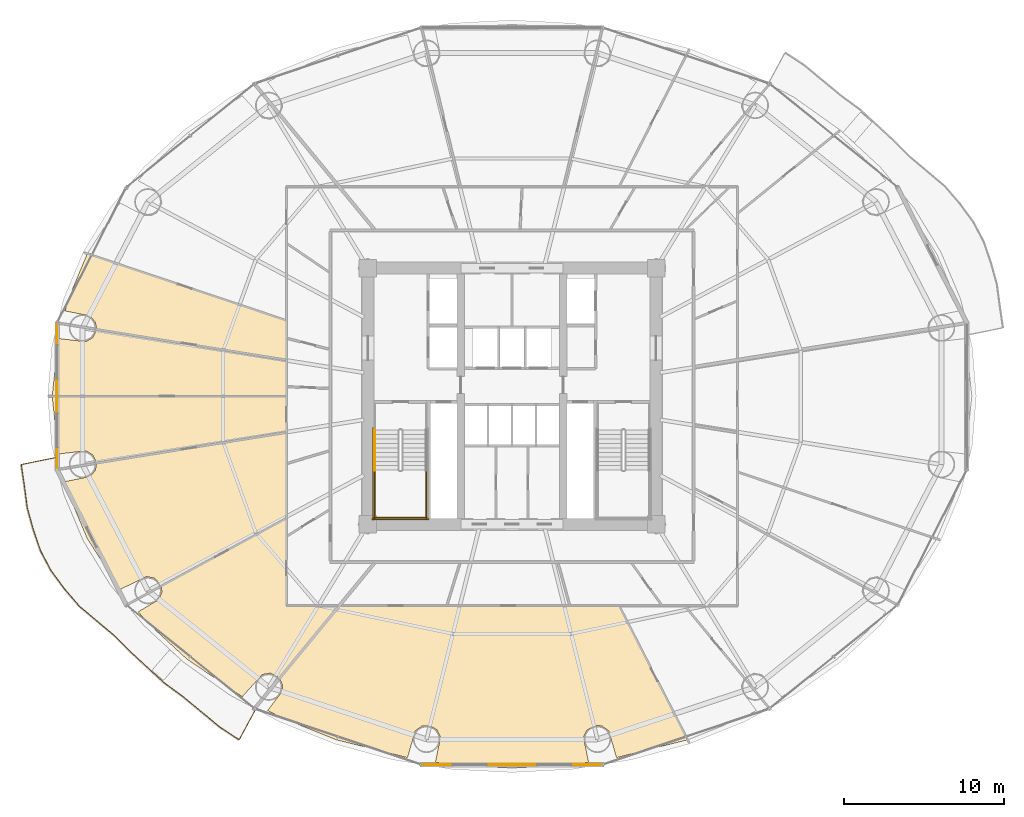
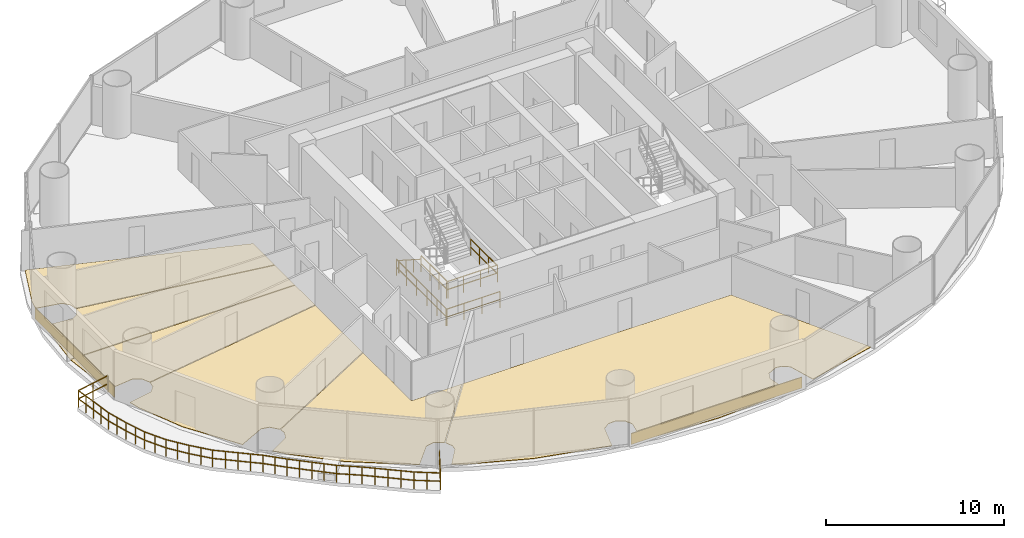
# One storey, part 25 of 28: 8 coverings, 7 railings.
"""IFC4 building model written with IfcOpenShell, lengths in metres."""

from ifc_helpers import new_model, si_unit, direction, frame, origin, origin_2d, place, context, subcontext, project, spatial, polyline, rectangle, outline, extrude, source, transform, mapped, material, layer, layer_set, type_object, element, save


model = new_model("IFC4")

# Units and contexts
model_context = context("Model", 3, precision=1e-05, world=origin(), true_north=direction((-0.2419218956, 0.970295726276)))
body_context = subcontext(model_context, "Body", "Model", "MODEL_VIEW")
ifc_project = project(units=[si_unit("LENGTHUNIT", "METRE"), si_unit("AREAUNIT", "SQUARE_METRE"), si_unit("VOLUMEUNIT", "CUBIC_METRE"), si_unit("PLANEANGLEUNIT", "RADIAN"), si_unit("MASSUNIT", "GRAM", prefix="KILO")], contexts=[model_context])

# Site, building, storey
site_placement = place(None, origin())
site = spatial("IfcSite", under=ifc_project, at=site_placement, CompositionType="ELEMENT")
building_placement = place(site_placement, origin())
building = spatial("IfcBuilding", under=site, at=building_placement, Name="Cobrevalo Terracotta Tower", CompositionType="ELEMENT")
storey_placement = place(building_placement, frame((0.0, 0.0, 42.0)))
storey = spatial("IfcBuildingStorey", under=building, at=storey_placement, Name="L10", CompositionType="ELEMENT", Elevation=42.0)

# Railing
ifc_material_1 = material(Name="Laminated structural glass and stainless steel", Category="steel")
railing_type_1 = type_object("IfcRailingType", Name="Balcony lobe structural glass & terracotta-cap balustrade 1180 mm", PredefinedType="BALUSTRADE", material=ifc_material_1)
railing_1_placement = place(storey_placement, frame((9.524658203125, 22.9814453125, 0.0)))
element("IfcRailing", 1, at=railing_1_placement, inside=storey, type_object=railing_type_1, Name="L10 spiralling balcony lobe balustrade 2", PredefinedType="BALUSTRADE", context=body_context, shape_type="SweptSolid", body=[
    extrude(rectangle(XDim=0.048095703125, YDim=0.048095703125, at=origin_2d()), frame((0.0, 0.0, 1.15576171875), z_axis=(-0.979807576566, -0.199942774071, 0.0), x_axis=(0.199942774071, -0.979807576566, 0.0)), (0.0, 0.0, 1.0), 2.219970703125),
    extrude(rectangle(XDim=0.048095703125, YDim=0.048095703125, at=origin_2d()), frame((0.0, 0.0, 0.58984375), z_axis=(-0.979807576566, -0.199942774071, 0.0), x_axis=(0.199942774071, -0.979807576566, 0.0)), (0.0, 0.0, 1.0), 2.219970703125),
    extrude(rectangle(XDim=0.048095703125, YDim=0.048095703125, at=origin_2d()), frame((-2.175048828125, -0.44384765625, 1.15576171875), z_axis=(0.144640429944, -0.989484282859, 0.0), x_axis=(0.989484282859, 0.144640429944, 0.0)), (0.0, 0.0, 1.0), 1.35888671875),
    extrude(rectangle(XDim=0.048095703125, YDim=0.048095703125, at=origin_2d()), frame((-2.175048828125, -0.44384765625, 0.58984375), z_axis=(0.144640429944, -0.989484282859, 0.0), x_axis=(0.989484282859, 0.144640429944, 0.0)), (0.0, 0.0, 1.0), 1.35888671875),
    extrude(rectangle(XDim=0.048095703125, YDim=0.048095703125, at=origin_2d()), frame((-1.978515625, -1.788330078125, 1.15576171875), z_axis=(0.131502879997, -0.991315788512, 0.0), x_axis=(0.991315788512, 0.131502879997, 0.0)), (0.0, 0.0, 1.0), 1.37939453125),
    extrude(rectangle(XDim=0.048095703125, YDim=0.048095703125, at=origin_2d()), frame((-1.978515625, -1.788330078125, 0.58984375), z_axis=(0.131502879997, -0.991315788512, 0.0), x_axis=(0.991315788512, 0.131502879997, 0.0)), (0.0, 0.0, 1.0), 1.37939453125),
    extrude(rectangle(XDim=0.048095703125, YDim=0.048095703125, at=origin_2d()), frame((-1.797119140625, -3.15576171875, 1.15576171875), z_axis=(0.265827989809, -0.964020476875, 0.0), x_axis=(0.964020476875, 0.265827989809, 0.0)), (0.0, 0.0, 1.0), 1.39404296875),
    extrude(rectangle(XDim=0.048095703125, YDim=0.048095703125, at=origin_2d()), frame((-1.797119140625, -3.15576171875, 0.58984375), z_axis=(0.265827989809, -0.964020476875, 0.0), x_axis=(0.964020476875, 0.265827989809, 0.0)), (0.0, 0.0, 1.0), 1.39404296875),
    extrude(rectangle(XDim=0.048095703125, YDim=0.048095703125, at=origin_2d()), frame((-1.426513671875, -4.499755859375, 1.15576171875), z_axis=(0.323277085184, -0.946304351779, 0.0), x_axis=(0.946304351779, 0.323277085184, 0.0)), (0.0, 0.0, 1.0), 1.40087890625),
    extrude(rectangle(XDim=0.048095703125, YDim=0.048095703125, at=origin_2d()), frame((-1.426513671875, -4.499755859375, 0.58984375), z_axis=(0.323277085184, -0.946304351779, 0.0), x_axis=(0.946304351779, 0.323277085184, 0.0)), (0.0, 0.0, 1.0), 1.40087890625),
    extrude(rectangle(XDim=0.048095703125, YDim=0.048095703125, at=origin_2d()), frame((-0.9736328125, -5.825439453125, 1.15576171875), z_axis=(0.467497136589, -0.88399458555, 0.0), x_axis=(0.88399458555, 0.467497136589, 0.0)), (0.0, 0.0, 1.0), 1.407470703125),
    extrude(rectangle(XDim=0.048095703125, YDim=0.048095703125, at=origin_2d()), frame((-0.9736328125, -5.825439453125, 0.58984375), z_axis=(0.467497136589, -0.88399458555, 0.0), x_axis=(0.88399458555, 0.467497136589, 0.0)), (0.0, 0.0, 1.0), 1.407470703125),
    extrude(rectangle(XDim=0.048095703125, YDim=0.048095703125, at=origin_2d()), frame((-0.315673828125, -7.069580078125, 1.15576171875), z_axis=(0.593257524322, -0.805012738928, 0.0), x_axis=(0.805012738928, 0.593257524322, 0.0)), (0.0, 0.0, 1.0), 1.423828125),
    extrude(rectangle(XDim=0.048095703125, YDim=0.048095703125, at=origin_2d()), frame((-0.315673828125, -7.069580078125, 0.58984375), z_axis=(0.593257524322, -0.805012738928, 0.0), x_axis=(0.805012738928, 0.593257524322, 0.0)), (0.0, 0.0, 1.0), 1.423828125),
    extrude(rectangle(XDim=0.048095703125, YDim=0.048095703125, at=origin_2d()), frame((0.529052734375, -8.2158203125, 1.15576171875), z_axis=(0.65066327487, -0.759366382411, 0.0), x_axis=(0.759366382411, 0.65066327487, 0.0)), (0.0, 0.0, 1.0), 1.41259765625),
    extrude(rectangle(XDim=0.048095703125, YDim=0.048095703125, at=origin_2d()), frame((0.529052734375, -8.2158203125, 0.58984375), z_axis=(0.65066327487, -0.759366382411, 0.0), x_axis=(0.759366382411, 0.65066327487, 0.0)), (0.0, 0.0, 1.0), 1.41259765625),
    extrude(rectangle(XDim=0.048095703125, YDim=0.048095703125, at=origin_2d()), frame((1.4482421875, -9.28857421875, 1.15576171875), z_axis=(0.764758926566, -0.644316524883, 0.0), x_axis=(0.644316524883, 0.764758926566, 0.0)), (0.0, 0.0, 1.0), 1.455322265625),
    extrude(rectangle(XDim=0.048095703125, YDim=0.048095703125, at=origin_2d()), frame((1.4482421875, -9.28857421875, 0.58984375), z_axis=(0.764758926566, -0.644316524883, 0.0), x_axis=(0.644316524883, 0.764758926566, 0.0)), (0.0, 0.0, 1.0), 1.455322265625),
    extrude(rectangle(XDim=0.048095703125, YDim=0.048095703125, at=origin_2d()), frame((2.561279296875, -10.226318359375, 1.15576171875), z_axis=(0.766941966753, -0.641716463582, 0.0), x_axis=(0.641716463582, 0.766941966753, 0.0)), (0.0, 0.0, 1.0), 1.425048828125),
    extrude(rectangle(XDim=0.048095703125, YDim=0.048095703125, at=origin_2d()), frame((2.561279296875, -10.226318359375, 0.58984375), z_axis=(0.766941966753, -0.641716463582, 0.0), x_axis=(0.641716463582, 0.766941966753, 0.0)), (0.0, 0.0, 1.0), 1.425048828125),
    extrude(rectangle(XDim=0.048095703125, YDim=0.048095703125, at=origin_2d()), frame((3.654296875, -11.140869140625, 1.15576171875), z_axis=(0.70510772044, -0.709100206301, 0.0), x_axis=(0.709100206301, 0.70510772044, 0.0)), (0.0, 0.0, 1.0), 1.406494140625),
    extrude(rectangle(XDim=0.048095703125, YDim=0.048095703125, at=origin_2d()), frame((3.654296875, -11.140869140625, 0.58984375), z_axis=(0.70510772044, -0.709100206301, 0.0), x_axis=(0.709100206301, 0.70510772044, 0.0)), (0.0, 0.0, 1.0), 1.406494140625),
    extrude(rectangle(XDim=0.048095703125, YDim=0.048095703125, at=origin_2d()), frame((4.64599609375, -12.13818359375, 1.15576171875), z_axis=(0.733969275627, -0.679182672361, 0.0), x_axis=(0.679182672361, 0.733969275627, 0.0)), (0.0, 0.0, 1.0), 1.426025390625),
    extrude(rectangle(XDim=0.048095703125, YDim=0.048095703125, at=origin_2d()), frame((4.64599609375, -12.13818359375, 0.58984375), z_axis=(0.733969275627, -0.679182672361, 0.0), x_axis=(0.679182672361, 0.733969275627, 0.0)), (0.0, 0.0, 1.0), 1.426025390625),
    extrude(rectangle(XDim=0.048095703125, YDim=0.048095703125, at=origin_2d()), frame((5.692626953125, -13.106689453125, 1.15576171875), z_axis=(0.736313666779, -0.676640365419, 0.0), x_axis=(0.676640365419, 0.736313666779, 0.0)), (0.0, 0.0, 1.0), 1.423828125),
    extrude(rectangle(XDim=0.048095703125, YDim=0.048095703125, at=origin_2d()), frame((5.692626953125, -13.106689453125, 0.58984375), z_axis=(0.736313666779, -0.676640365419, 0.0), x_axis=(0.676640365419, 0.736313666779, 0.0)), (0.0, 0.0, 1.0), 1.423828125),
    extrude(rectangle(XDim=0.048095703125, YDim=0.048095703125, at=origin_2d()), frame((6.740966796875, -14.070068359375, 1.15576171875), z_axis=(0.805709975277, -0.592310252941, 0.0), x_axis=(0.592310252941, 0.805709975277, 0.0)), (0.0, 0.0, 1.0), 1.452880859375),
    extrude(rectangle(XDim=0.048095703125, YDim=0.048095703125, at=origin_2d()), frame((6.740966796875, -14.070068359375, 0.58984375), z_axis=(0.805709975277, -0.592310252941, 0.0), x_axis=(0.592310252941, 0.805709975277, 0.0)), (0.0, 0.0, 1.0), 1.452880859375),
    extrude(rectangle(XDim=0.048095703125, YDim=0.048095703125, at=origin_2d()), frame((7.91162109375, -14.9306640625, 1.15576171875), z_axis=(0.77181945337, -0.63584175028, 0.0), x_axis=(0.63584175028, 0.77181945337, 0.0)), (0.0, 0.0, 1.0), 1.46337890625),
    extrude(rectangle(XDim=0.048095703125, YDim=0.048095703125, at=origin_2d()), frame((7.91162109375, -14.9306640625, 0.58984375), z_axis=(0.77181945337, -0.63584175028, 0.0), x_axis=(0.63584175028, 0.77181945337, 0.0)), (0.0, 0.0, 1.0), 1.46337890625),
    extrude(rectangle(XDim=0.048095703125, YDim=0.048095703125, at=origin_2d()), frame((9.041015625, -15.861083984375, 1.15576171875), z_axis=(0.768382955244, -0.63999033906, 0.0), x_axis=(0.63999033906, 0.768382955244, 0.0)), (0.0, 0.0, 1.0), 1.485107421875),
    extrude(rectangle(XDim=0.048095703125, YDim=0.048095703125, at=origin_2d()), frame((9.041015625, -15.861083984375, 0.58984375), z_axis=(0.768382955244, -0.63999033906, 0.0), x_axis=(0.63999033906, 0.768382955244, 0.0)), (0.0, 0.0, 1.0), 1.485107421875),
    extrude(rectangle(XDim=0.048095703125, YDim=0.048095703125, at=origin_2d()), frame((10.18212890625, -16.8115234375, 1.15576171875), z_axis=(0.834163570936, -0.551517122964, 0.0), x_axis=(0.551517122964, 0.834163570936, 0.0)), (0.0, 0.0, 1.0), 1.50634765625),
    extrude(rectangle(XDim=0.048095703125, YDim=0.048095703125, at=origin_2d()), frame((10.18212890625, -16.8115234375, 0.58984375), z_axis=(0.834163570936, -0.551517122964, 0.0), x_axis=(0.551517122964, 0.834163570936, 0.0)), (0.0, 0.0, 1.0), 1.50634765625),
    extrude(rectangle(XDim=0.048095703125, YDim=0.048095703125, at=origin_2d()), frame((11.438720703125, -17.642333984375, 1.15576171875), z_axis=(0.474554750379, 0.880225987399, 0.0), x_axis=(-0.880225987399, 0.474554750379, 0.0)), (0.0, 0.0, 1.0), 2.27197265625),
    extrude(rectangle(XDim=0.048095703125, YDim=0.048095703125, at=origin_2d()), frame((11.438720703125, -17.642333984375, 0.58984375), z_axis=(0.474554750379, 0.880225987399, 0.0), x_axis=(-0.880225987399, 0.474554750379, 0.0)), (0.0, 0.0, 1.0), 2.27197265625),
    extrude(rectangle(XDim=0.0419921875, YDim=0.0419921875, at=origin_2d()), origin(), (0.0, 0.0, 1.0), 1.1318359375),
    extrude(rectangle(XDim=0.0419921875, YDim=0.0419921875, at=origin_2d()), frame((-1.08740234375, -0.221923828125, 0.0)), (0.0, 0.0, 1.0), 1.1318359375),
    extrude(rectangle(XDim=0.0419921875, YDim=0.0419921875, at=origin_2d()), frame((-2.175048828125, -0.44384765625, 0.0)), (0.0, 0.0, 1.0), 1.1318359375),
    extrude(rectangle(XDim=0.0419921875, YDim=0.0419921875, at=origin_2d()), frame((-2.07666015625, -1.1162109375, 0.0)), (0.0, 0.0, 1.0), 1.1318359375),
    extrude(rectangle(XDim=0.0419921875, YDim=0.0419921875, at=origin_2d()), frame((-1.978515625, -1.788330078125, 0.0)), (0.0, 0.0, 1.0), 1.1318359375),
    extrude(rectangle(XDim=0.0419921875, YDim=0.0419921875, at=origin_2d()), frame((-1.8876953125, -2.47216796875, 0.0)), (0.0, 0.0, 1.0), 1.1318359375),
    extrude(rectangle(XDim=0.0419921875, YDim=0.0419921875, at=origin_2d()), frame((-1.797119140625, -3.15576171875, 0.0)), (0.0, 0.0, 1.0), 1.1318359375),
    extrude(rectangle(XDim=0.0419921875, YDim=0.0419921875, at=origin_2d()), frame((-1.61181640625, -3.82763671875, 0.0)), (0.0, 0.0, 1.0), 1.1318359375),
    extrude(rectangle(XDim=0.0419921875, YDim=0.0419921875, at=origin_2d()), frame((-1.426513671875, -4.499755859375, 0.0)), (0.0, 0.0, 1.0), 1.1318359375),
    extrude(rectangle(XDim=0.0419921875, YDim=0.0419921875, at=origin_2d()), frame((-1.2001953125, -5.16259765625, 0.0)), (0.0, 0.0, 1.0), 1.1318359375),
    extrude(rectangle(XDim=0.0419921875, YDim=0.0419921875, at=origin_2d()), frame((-0.9736328125, -5.825439453125, 0.0)), (0.0, 0.0, 1.0), 1.1318359375),
    extrude(rectangle(XDim=0.0419921875, YDim=0.0419921875, at=origin_2d()), frame((-0.64453125, -6.447509765625, 0.0)), (0.0, 0.0, 1.0), 1.1318359375),
    extrude(rectangle(XDim=0.0419921875, YDim=0.0419921875, at=origin_2d()), frame((-0.315673828125, -7.069580078125, 0.0)), (0.0, 0.0, 1.0), 1.1318359375),
    extrude(rectangle(XDim=0.0419921875, YDim=0.0419921875, at=origin_2d()), frame((0.106689453125, -7.642578125, 0.0)), (0.0, 0.0, 1.0), 1.1318359375),
    extrude(rectangle(XDim=0.0419921875, YDim=0.0419921875, at=origin_2d()), frame((0.529052734375, -8.2158203125, 0.0)), (0.0, 0.0, 1.0), 1.1318359375),
    extrude(rectangle(XDim=0.0419921875, YDim=0.0419921875, at=origin_2d()), frame((0.98876953125, -8.752197265625, 0.0)), (0.0, 0.0, 1.0), 1.1318359375),
    extrude(rectangle(XDim=0.0419921875, YDim=0.0419921875, at=origin_2d()), frame((1.4482421875, -9.28857421875, 0.0)), (0.0, 0.0, 1.0), 1.1318359375),
    extrude(rectangle(XDim=0.0419921875, YDim=0.0419921875, at=origin_2d()), frame((2.0048828125, -9.75732421875, 0.0)), (0.0, 0.0, 1.0), 1.1318359375),
    extrude(rectangle(XDim=0.0419921875, YDim=0.0419921875, at=origin_2d()), frame((2.561279296875, -10.226318359375, 0.0)), (0.0, 0.0, 1.0), 1.1318359375),
    extrude(rectangle(XDim=0.0419921875, YDim=0.0419921875, at=origin_2d()), frame((3.10791015625, -10.68359375, 0.0)), (0.0, 0.0, 1.0), 1.1318359375),
    extrude(rectangle(XDim=0.0419921875, YDim=0.0419921875, at=origin_2d()), frame((3.654296875, -11.140869140625, 0.0)), (0.0, 0.0, 1.0), 1.1318359375),
    extrude(rectangle(XDim=0.0419921875, YDim=0.0419921875, at=origin_2d()), frame((4.150146484375, -11.6396484375, 0.0)), (0.0, 0.0, 1.0), 1.1318359375),
    extrude(rectangle(XDim=0.0419921875, YDim=0.0419921875, at=origin_2d()), frame((4.64599609375, -12.13818359375, 0.0)), (0.0, 0.0, 1.0), 1.1318359375),
    extrude(rectangle(XDim=0.0419921875, YDim=0.0419921875, at=origin_2d()), frame((5.16943359375, -12.62255859375, 0.0)), (0.0, 0.0, 1.0), 1.1318359375),
    extrude(rectangle(XDim=0.0419921875, YDim=0.0419921875, at=origin_2d()), frame((5.692626953125, -13.106689453125, 0.0)), (0.0, 0.0, 1.0), 1.1318359375),
    extrude(rectangle(XDim=0.0419921875, YDim=0.0419921875, at=origin_2d()), frame((6.216796875, -13.58837890625, 0.0)), (0.0, 0.0, 1.0), 1.1318359375),
    extrude(rectangle(XDim=0.0419921875, YDim=0.0419921875, at=origin_2d()), frame((6.740966796875, -14.070068359375, 0.0)), (0.0, 0.0, 1.0), 1.1318359375),
    extrude(rectangle(XDim=0.0419921875, YDim=0.0419921875, at=origin_2d()), frame((7.326171875, -14.50048828125, 0.0)), (0.0, 0.0, 1.0), 1.1318359375),
    extrude(rectangle(XDim=0.0419921875, YDim=0.0419921875, at=origin_2d()), frame((7.91162109375, -14.9306640625, 0.0)), (0.0, 0.0, 1.0), 1.1318359375),
    extrude(rectangle(XDim=0.0419921875, YDim=0.0419921875, at=origin_2d()), frame((8.476318359375, -15.39599609375, 0.0)), (0.0, 0.0, 1.0), 1.1318359375),
    extrude(rectangle(XDim=0.0419921875, YDim=0.0419921875, at=origin_2d()), frame((9.041015625, -15.861083984375, 0.0)), (0.0, 0.0, 1.0), 1.1318359375),
    extrude(rectangle(XDim=0.0419921875, YDim=0.0419921875, at=origin_2d()), frame((9.611572265625, -16.33642578125, 0.0)), (0.0, 0.0, 1.0), 1.1318359375),
    extrude(rectangle(XDim=0.0419921875, YDim=0.0419921875, at=origin_2d()), frame((10.18212890625, -16.8115234375, 0.0)), (0.0, 0.0, 1.0), 1.1318359375),
    extrude(rectangle(XDim=0.0419921875, YDim=0.0419921875, at=origin_2d()), frame((10.810546875, -17.22705078125, 0.0)), (0.0, 0.0, 1.0), 1.1318359375),
    extrude(rectangle(XDim=0.0419921875, YDim=0.0419921875, at=origin_2d()), frame((11.438720703125, -17.642333984375, 0.0)), (0.0, 0.0, 1.0), 1.1318359375),
    extrude(rectangle(XDim=0.0419921875, YDim=0.0419921875, at=origin_2d()), frame((11.977783203125, -16.642578125, 0.0)), (0.0, 0.0, 1.0), 1.1318359375),
    extrude(rectangle(XDim=0.0419921875, YDim=0.0419921875, at=origin_2d()), frame((12.516845703125, -15.642578125, 0.0)), (0.0, 0.0, 1.0), 1.1318359375),
])

# Coverings
ifc_material_2 = material(Name="Engineered Brazilian hardwood flooring", Category="wood")
ifc_layer_1 = layer(ifc_material_2, 0.028076171875)
ifc_layer_set_1 = layer_set([ifc_layer_1], Name="Engineered Brazilian hardwood flooring")
covering_type_1 = type_object("IfcCoveringType", Name="Engineered Hardwood Suite Flooring 28", PredefinedType="FLOORING", material=ifc_layer_set_1)
covering_1_placement = place(storey_placement, origin())
element("IfcCovering", 2, at=covering_1_placement, inside=storey, type_object=covering_type_1, Name="Flat L10B Master Bedroom floor finish", PredefinedType="FLOORING", context=body_context, shape_type="SweptSolid", body=[
    extrude(outline(polyline([(11.468505859375, 35.684326171875), (23.89501953125, 31.513427734375), (23.89501953125, 29.09375), (12.04931640625, 31.003173828125), (11.974853515625, 31.4306640625), (11.6357421875, 31.81298828125), (10.090576171875, 32.126220703125), (10.25830078125, 32.80859375), (11.468505859375, 35.684326171875)])), origin(), (0.0, 0.0, 1.0), 0.030029296875),
])
covering_2_placement = place(storey_placement, origin())
element("IfcCovering", 3, at=covering_2_placement, inside=storey, type_object=covering_type_1, Name="Flat L10B Principal Guest Bedroom floor finish", PredefinedType="FLOORING", context=body_context, shape_type="SweptSolid", body=[
    extrude(outline(polyline([(9.668701171875, 30.4111328125), (11.380615234375, 30.206787109375), (11.821533203125, 30.465087890625), (12.047119140625, 30.963134765625), (23.89501953125, 29.05322265625), (23.89501953125, 26.820068359375), (9.28173828125, 26.820068359375), (9.668701171875, 30.4111328125)])), origin(), (0.0, 0.0, 1.0), 0.030029296875),
])
covering_3_placement = place(storey_placement, origin())
element("IfcCovering", 4, at=covering_3_placement, inside=storey, type_object=covering_type_1, Name="Flat L10B Principal Guest Bedroom floor finish", PredefinedType="FLOORING", context=body_context, shape_type="SweptSolid", body=[
    extrude(outline(polyline([(9.28173828125, 26.780029296875), (23.89501953125, 26.780029296875), (23.89501953125, 24.546630859375), (12.047119140625, 22.636962890625), (11.821533203125, 23.135009765625), (11.380615234375, 23.39306640625), (9.668701171875, 23.18896484375), (9.28173828125, 26.780029296875)])), origin(), (0.0, 0.0, 1.0), 0.030029296875),
])
covering_4_placement = place(storey_placement, origin())
element("IfcCovering", 5, at=covering_4_placement, inside=storey, type_object=covering_type_1, Name="Flat L10B Penthouse Family Lounge floor finish", PredefinedType="FLOORING", context=body_context, shape_type="SweptSolid", body=[
    extrude(outline(polyline([(11.465576171875, 17.91552734375), (10.25830078125, 20.791259765625), (10.090576171875, 21.473876953125), (11.6357421875, 21.787109375), (11.974853515625, 22.169189453125), (12.04931640625, 22.596923828125), (23.89501953125, 24.506103515625), (23.89501953125, 19.185546875), (16.084716796875, 14.95654296875), (15.674560546875, 15.436767578125), (15.173583984375, 15.53662109375), (13.511962890625, 14.7255859375), (11.465576171875, 17.91552734375)])), origin(), (0.0, 0.0, 1.0), 0.030029296875),
])
covering_5_placement = place(storey_placement, origin())
element("IfcCovering", 6, at=covering_5_placement, inside=storey, type_object=covering_type_1, Name="Flat L10B Penthouse Family Lounge floor finish", PredefinedType="FLOORING", context=body_context, shape_type="SweptSolid", body=[
    extrude(outline(polyline([(14.65576171875, 13.341064453125), (15.939208984375, 14.10205078125), (16.135009765625, 14.573974609375), (16.09765625, 14.91796875), (23.89501953125, 19.14013671875), (23.89501953125, 13.695068359375), (27.168212890625, 13.695068359375), (23.468017578125, 9.20751953125), (22.899658203125, 9.50732421875), (22.3974609375, 9.412353515625), (21.156494140625, 8.03271484375), (17.6904296875, 10.38232421875), (15.213623046875, 12.666259765625), (14.65576171875, 13.341064453125)])), origin(), (0.0, 0.0, 1.0), 0.030029296875),
])
covering_6_placement = place(storey_placement, origin())
element("IfcCovering", 7, at=covering_6_placement, inside=storey, type_object=covering_type_1, Name="Flat L10C Penthouse Living and Dining Room floor finish", PredefinedType="FLOORING", context=body_context, shape_type="SweptSolid", body=[
    extrude(outline(polyline([(23.4951171875, 9.177490234375), (27.219970703125, 13.695068359375), (44.67626953125, 13.695068359375), (48.948974609375, 5.336181640625), (44.527587890625, 4.2255859375), (44.04345703125, 5.89306640625), (43.63330078125, 6.197998046875), (43.293701171875, 6.2490234375), (42.6845703125, 5.9619140625), (42.46533203125, 5.500244140625), (42.78369140625, 3.945068359375), (41.749267578125, 3.77880859375), (38.0, 3.580078125), (34.250732421875, 3.77880859375), (33.21630859375, 3.945068359375), (33.53466796875, 5.500244140625), (33.3154296875, 5.9619140625), (32.876953125, 6.223876953125), (32.36669921875, 6.197998046875), (31.95654296875, 5.89306640625), (31.472412109375, 4.2255859375), (27.008056640625, 5.34814453125), (23.638427734375, 6.691650390625), (22.73681640625, 7.178955078125), (23.64501953125, 8.369140625), (23.681884765625, 8.71044921875), (23.4951171875, 9.177490234375)])), origin(), (0.0, 0.0, 1.0), 0.030029296875),
])

# Railings
ifc_material_3 = material(Name="Brushed stainless steel", Category="steel")
railing_type_2 = type_object("IfcRailingType", Name="Stainless Steel Stair Handrail 900", PredefinedType="HANDRAIL", material=ifc_material_3)
railing_2_placement = place(storey_placement, frame((29.425048828125, 24.699951171875, 0.179931640625)))
element("IfcRailing", 8, at=railing_2_placement, inside=storey, type_object=railing_type_2, Name="L10 ST-1 stair handrail 1", PredefinedType="HANDRAIL", context=body_context, shape_type="SweptSolid", body=[
    extrude(rectangle(XDim=0.048095703125, YDim=0.048095703125, at=origin_2d()), frame((0.0, 0.0, 0.8759765625), z_axis=(0.0, -0.841162588446, 0.540782303519), x_axis=(1.0, 0.0, 0.0)), (0.0, 0.0, 1.0), 2.995849609375),
    extrude(rectangle(XDim=0.0419921875, YDim=0.0419921875, at=origin_2d()), origin(), (0.0, 0.0, 1.0), 0.851806640625),
    extrude(rectangle(XDim=0.0419921875, YDim=0.0419921875, at=origin_2d()), frame((0.0, -0.840087890625, 0.5400390625)), (0.0, 0.0, 1.0), 0.851806640625),
    extrude(rectangle(XDim=0.0419921875, YDim=0.0419921875, at=origin_2d()), frame((0.0, -1.679931640625, 1.080078125)), (0.0, 0.0, 1.0), 0.851806640625),
    extrude(rectangle(XDim=0.0419921875, YDim=0.0419921875, at=origin_2d()), frame((0.0, -2.52001953125, 1.6201171875)), (0.0, 0.0, 1.0), 0.851806640625),
])
ifc_material_4 = material(Name="Painted galvanized steel", Category="steel")
railing_type_3 = type_object("IfcRailingType", Name="Stair Well Guard Balustrade 1150", PredefinedType="GUARDRAIL", material=ifc_material_4)
for number, where, name in (
    (9, (29.425048828125, 22.179931640625, 1.800048828125), "L10 ST-1 stair guard 3"),
    (10, (32.64501953125, 22.179931640625, 1.800048828125), "L10 ST-1 stair guard 4"),
):
    element("IfcRailing", number, at=place(storey_placement, frame(where)), inside=storey, type_object=railing_type_3, Name=name, PredefinedType="GUARDRAIL", context=body_context, shape_type="SweptSolid", body=[
        extrude(rectangle(XDim=0.048095703125, YDim=0.048095703125, at=origin_2d()), frame((0.0, 0.0, 1.1259765625), z_axis=(0.0, -1.0, 0.0), x_axis=(1.0, 0.0, 0.0)), (0.0, 0.0, 1.0), 3.0048828125),
        extrude(rectangle(XDim=0.048095703125, YDim=0.048095703125, at=origin_2d()), frame((0.0, 0.0, 0.574951171875), z_axis=(0.0, -1.0, 0.0), x_axis=(1.0, 0.0, 0.0)), (0.0, 0.0, 1.0), 3.0048828125),
        extrude(rectangle(XDim=0.0419921875, YDim=0.0419921875, at=origin_2d()), origin(), (0.0, 0.0, 1.0), 1.101806640625),
        extrude(rectangle(XDim=0.0419921875, YDim=0.0419921875, at=origin_2d()), frame((0.0, -1.001708984375, 0.0)), (0.0, 0.0, 1.0), 1.101806640625),
        extrude(rectangle(XDim=0.0419921875, YDim=0.0419921875, at=origin_2d()), frame((0.0, -2.003173828125, 0.0)), (0.0, 0.0, 1.0), 1.101806640625),
        extrude(rectangle(XDim=0.0419921875, YDim=0.0419921875, at=origin_2d()), frame((0.0, -3.0048828125, 0.0)), (0.0, 0.0, 1.0), 1.101806640625),
    ])
railing_3_placement = place(storey_placement, frame((29.375, 19.22509765625, 1.800048828125)))
element("IfcRailing", 11, at=railing_3_placement, inside=storey, type_object=railing_type_3, Name="L10 ST-1 stair guard 5", PredefinedType="GUARDRAIL", context=body_context, shape_type="SweptSolid", body=[
    extrude(rectangle(XDim=0.048095703125, YDim=0.048095703125, at=origin_2d()), frame((0.0, 0.0, 1.1259765625), z_axis=(1.0, 0.0, 0.0), x_axis=(0.0, 1.0, 0.0)), (0.0, 0.0, 1.0), 3.320068359375),
    extrude(rectangle(XDim=0.048095703125, YDim=0.048095703125, at=origin_2d()), frame((0.0, 0.0, 0.574951171875), z_axis=(1.0, 0.0, 0.0), x_axis=(0.0, 1.0, 0.0)), (0.0, 0.0, 1.0), 3.320068359375),
    extrude(rectangle(XDim=0.0419921875, YDim=0.0419921875, at=origin_2d()), origin(), (0.0, 0.0, 1.0), 1.101806640625),
    extrude(rectangle(XDim=0.0419921875, YDim=0.0419921875, at=origin_2d()), frame((1.106689453125, 0.0, 0.0)), (0.0, 0.0, 1.0), 1.101806640625),
    extrude(rectangle(XDim=0.0419921875, YDim=0.0419921875, at=origin_2d()), frame((2.21337890625, 0.0, 0.0)), (0.0, 0.0, 1.0), 1.101806640625),
    extrude(rectangle(XDim=0.0419921875, YDim=0.0419921875, at=origin_2d()), frame((3.320068359375, 0.0, 0.0)), (0.0, 0.0, 1.0), 1.101806640625),
])
railing_4_placement = place(storey_placement, frame((29.324951171875, 24.800048828125, 0.0)))
element("IfcRailing", 12, at=railing_4_placement, inside=storey, type_object=railing_type_3, Name="L10 ST-1 stair guard 10", PredefinedType="GUARDRAIL", context=body_context, shape_type="SweptSolid", body=[
    extrude(rectangle(XDim=0.048095703125, YDim=0.048095703125, at=origin_2d()), frame((0.0, 0.0, 1.1259765625), z_axis=(0.0, -1.0, 0.0), x_axis=(1.0, 0.0, 0.0)), (0.0, 0.0, 1.0), 5.72509765625),
    extrude(rectangle(XDim=0.048095703125, YDim=0.048095703125, at=origin_2d()), frame((0.0, 0.0, 0.574951171875), z_axis=(0.0, -1.0, 0.0), x_axis=(1.0, 0.0, 0.0)), (0.0, 0.0, 1.0), 5.72509765625),
    extrude(rectangle(XDim=0.0419921875, YDim=0.0419921875, at=origin_2d()), origin(), (0.0, 0.0, 1.0), 1.101806640625),
    extrude(rectangle(XDim=0.0419921875, YDim=0.0419921875, at=origin_2d()), frame((0.0, -1.14501953125, 0.0)), (0.0, 0.0, 1.0), 1.101806640625),
    extrude(rectangle(XDim=0.0419921875, YDim=0.0419921875, at=origin_2d()), frame((0.0, -2.2900390625, 0.0)), (0.0, 0.0, 1.0), 1.101806640625),
    extrude(rectangle(XDim=0.0419921875, YDim=0.0419921875, at=origin_2d()), frame((0.0, -3.43505859375, 0.0)), (0.0, 0.0, 1.0), 1.101806640625),
    extrude(rectangle(XDim=0.0419921875, YDim=0.0419921875, at=origin_2d()), frame((0.0, -4.580078125, 0.0)), (0.0, 0.0, 1.0), 1.101806640625),
    extrude(rectangle(XDim=0.0419921875, YDim=0.0419921875, at=origin_2d()), frame((0.0, -5.72509765625, 0.0)), (0.0, 0.0, 1.0), 1.101806640625),
])
railing_5_placement = place(storey_placement, frame((29.27490234375, 19.125, 0.0)))
element("IfcRailing", 13, at=railing_5_placement, inside=storey, type_object=railing_type_3, Name="L10 ST-1 stair guard 12", PredefinedType="GUARDRAIL", context=body_context, shape_type="SweptSolid", body=[
    extrude(rectangle(XDim=0.048095703125, YDim=0.048095703125, at=origin_2d()), frame((0.0, 0.0, 1.1259765625), z_axis=(1.0, 0.0, 0.0), x_axis=(0.0, 1.0, 0.0)), (0.0, 0.0, 1.0), 3.52001953125),
    extrude(rectangle(XDim=0.048095703125, YDim=0.048095703125, at=origin_2d()), frame((0.0, 0.0, 0.574951171875), z_axis=(1.0, 0.0, 0.0), x_axis=(0.0, 1.0, 0.0)), (0.0, 0.0, 1.0), 3.52001953125),
    extrude(rectangle(XDim=0.0419921875, YDim=0.0419921875, at=origin_2d()), origin(), (0.0, 0.0, 1.0), 1.101806640625),
    extrude(rectangle(XDim=0.0419921875, YDim=0.0419921875, at=origin_2d()), frame((1.17333984375, 0.0, 0.0)), (0.0, 0.0, 1.0), 1.101806640625),
    extrude(rectangle(XDim=0.0419921875, YDim=0.0419921875, at=origin_2d()), frame((2.3466796875, 0.0, 0.0)), (0.0, 0.0, 1.0), 1.101806640625),
    extrude(rectangle(XDim=0.0419921875, YDim=0.0419921875, at=origin_2d()), frame((3.52001953125, 0.0, 0.0)), (0.0, 0.0, 1.0), 1.101806640625),
])

# Coverings
ifc_material_5 = material(Name="Glazed terracotta facade cladding tile", Category="masonry")
ifc_layer_2 = layer(ifc_material_5, 0.044921875)
ifc_layer_set_2 = layer_set([ifc_layer_2], Name="Glazed terracotta facade cladding tile")
covering_type_2 = type_object("IfcCoveringType", Name="Architectural terracotta rainscreen spandrel cladding 45 mm", PredefinedType="CLADDING", material=ifc_layer_set_2)
shared_shape_1 = source(origin(), body_context, "Body", "SweptSolid", [
    extrude(rectangle(XDim=11.103515625, YDim=0.044921875, at=origin_2d()), origin(), (0.0, 0.0, 1.0), 0.760009765625),
])
covering_7_placement = place(storey_placement, frame((38.0, 3.781005859375, 0.0400390625), z_axis=(0.0, 0.0, 1.0), x_axis=(1.0, 0.0, 0.0)))
element("IfcCovering", 14, at=covering_7_placement, inside=storey, type_object=covering_type_2, Name="L10 terracotta spandrel cladding S12", PredefinedType="CLADDING", context=body_context, shape_type="MappedRepresentation", body=[
    mapped(shared_shape_1, transform((0.0, 0.0, 0.0), scale=1.0)),
])
shared_shape_2 = source(origin(), body_context, "Body", "SweptSolid", [
    extrude(rectangle(XDim=8.95751953125, YDim=0.044921875, at=origin_2d()), origin(), (0.0, 0.0, 1.0), 0.760009765625),
])
covering_8_placement = place(storey_placement, frame((9.586669921875, 26.800048828125, 0.0400390625), z_axis=(0.0, 0.0, 1.0), x_axis=(0.0, -1.0, 0.0)))
element("IfcCovering", 15, at=covering_8_placement, inside=storey, type_object=covering_type_2, Name="L10 terracotta spandrel cladding S08", PredefinedType="CLADDING", context=body_context, shape_type="MappedRepresentation", body=[
    mapped(shared_shape_2, transform((0.0, 0.0, 0.0), scale=1.0)),
])

save(model, "model.ifc")
